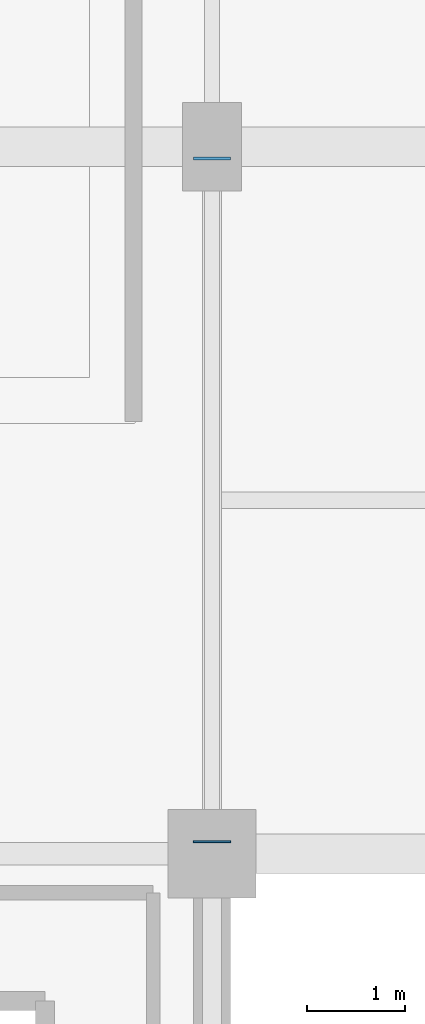
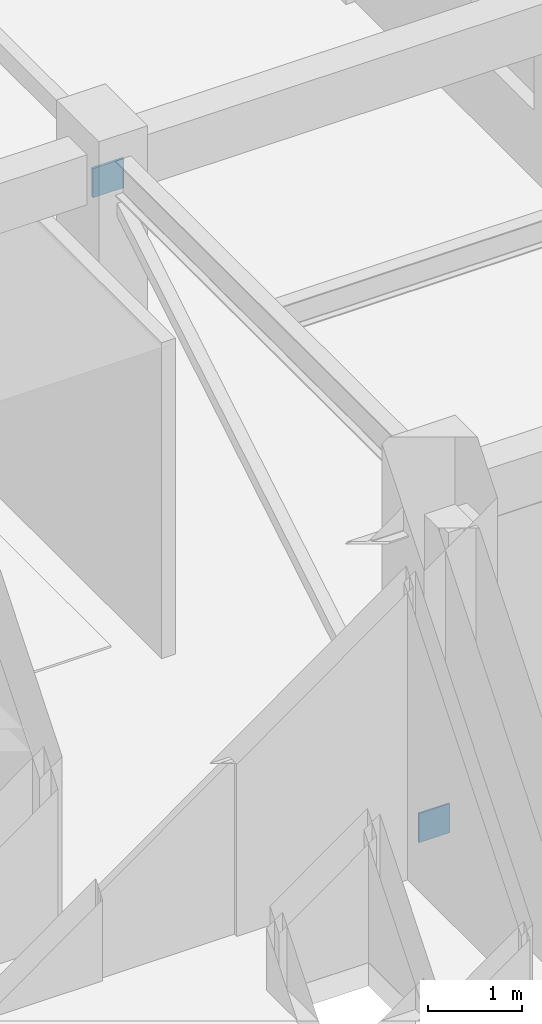
# One storey, part 79 of 117: 2 plates.
"""IFC4 building model written with IfcOpenShell, lengths in metres."""

from ifc_helpers import new_model, si_unit, direction, frame, origin, origin_2d, place, context, subcontext, project, spatial, rectangle, extrude, material, layer, layer_set, type_object, element, save


model = new_model("IFC4")

# Units and contexts
model_context = context("Model", 3, precision=1e-05, world=origin(), true_north=direction((0.0, 1.0)))
body_context = subcontext(model_context, "Body", "Model", "MODEL_VIEW")
ifc_project = project(units=[si_unit("LENGTHUNIT", "METRE"), si_unit("AREAUNIT", "SQUARE_METRE"), si_unit("VOLUMEUNIT", "CUBIC_METRE"), si_unit("PLANEANGLEUNIT", "RADIAN"), si_unit("MASSUNIT", "GRAM", prefix="KILO")], contexts=[model_context])

# Site, building, storey
site_placement = place(None, origin())
site = spatial("IfcSite", under=ifc_project, at=site_placement, CompositionType="ELEMENT")
building_placement = place(site_placement, origin())
building = spatial("IfcBuilding", under=site, at=building_placement, Name="Carrowvane Square Congress Hotel", CompositionType="ELEMENT")
storey_placement = place(building_placement, frame((0.0, 0.0, 5.39990234375)))
storey = spatial("IfcBuildingStorey", under=building, at=storey_placement, Name="L01", CompositionType="ELEMENT", Elevation=5.39990234375)

# Plates
ifc_material_1 = material(Name="Steel S355", Category="steel")
ifc_layer_1 = layer(ifc_material_1, 0.02001953125)
ifc_layer_set_1 = layer_set([ifc_layer_1], Name="Steel S355")
plate_type_1 = type_object("IfcPlateType", Name="PLT-GUS-20", PredefinedType="SHEET", material=ifc_layer_set_1)
plate_1_placement = place(storey_placement, frame((62.0, 55.919921875, -0.039794921875), z_axis=(0.0, 0.0, 1.0), x_axis=(1.0, 0.0, 0.0)))
element("IfcPlate", 1, at=plate_1_placement, inside=storey, type_object=plate_type_1, Name="L01 brace connection end plate 273", PredefinedType="SHEET", context=body_context, shape_type="SweptSolid", body=[
    extrude(rectangle(XDim=0.3798828125, YDim=0.02001953125, at=origin_2d()), origin(), (0.0, 0.0, 1.0), 0.3798828125),
])
ifc_material_2 = material(Name="Steel S355", Category="steel")
ifc_layer_2 = layer(ifc_material_2, 0.030029296875)
ifc_layer_set_2 = layer_set([ifc_layer_2], Name="Steel S355")
plate_type_2 = type_object("IfcPlateType", Name="PLT-GUS-30", PredefinedType="USERDEFINED", material=ifc_layer_set_2)
plate_2_placement = place(storey_placement, frame((62.0, 62.8798828125, 4.14013671875), z_axis=(0.0, 0.0, 1.0), x_axis=(1.0, 0.0, 0.0)))
element("IfcPlate", 2, at=plate_2_placement, inside=storey, type_object=plate_type_2, Name="L01 brace connection end plate 274", ObjectType="GUSSET PLATE", PredefinedType="USERDEFINED", context=body_context, shape_type="SweptSolid", body=[
    extrude(rectangle(XDim=0.3798828125, YDim=0.030029296875, at=origin_2d()), origin(), (0.0, 0.0, 1.0), 0.3798828125),
])

save(model, "model.ifc")
